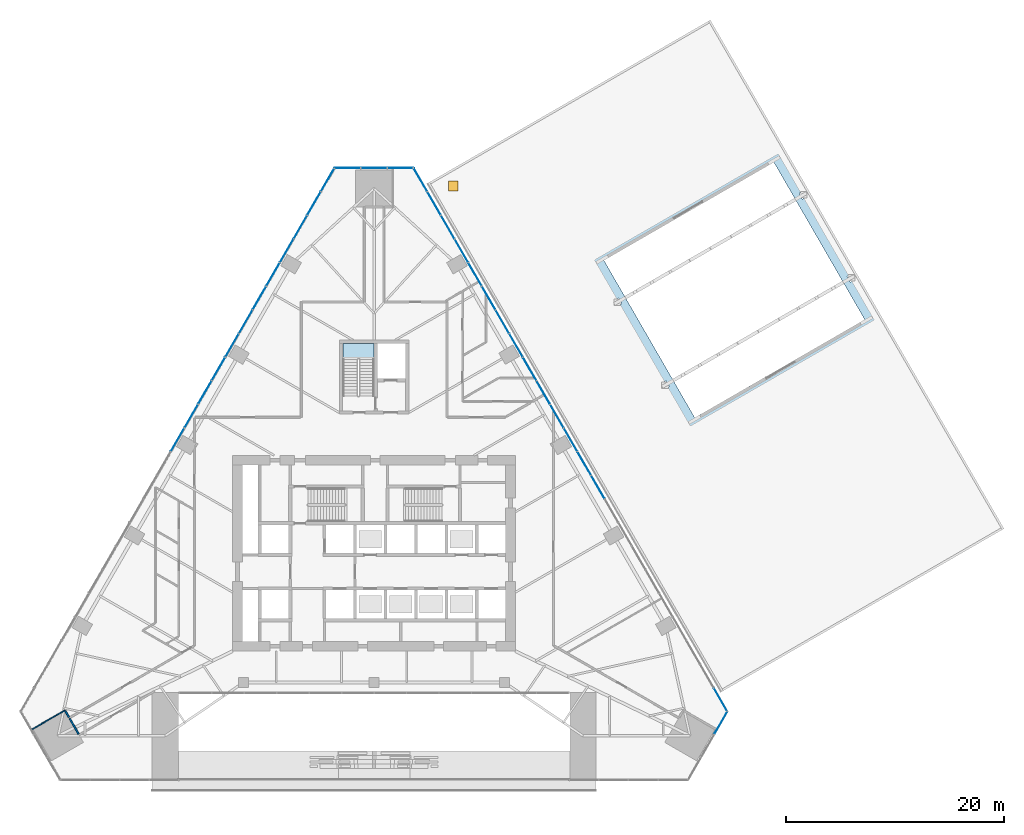
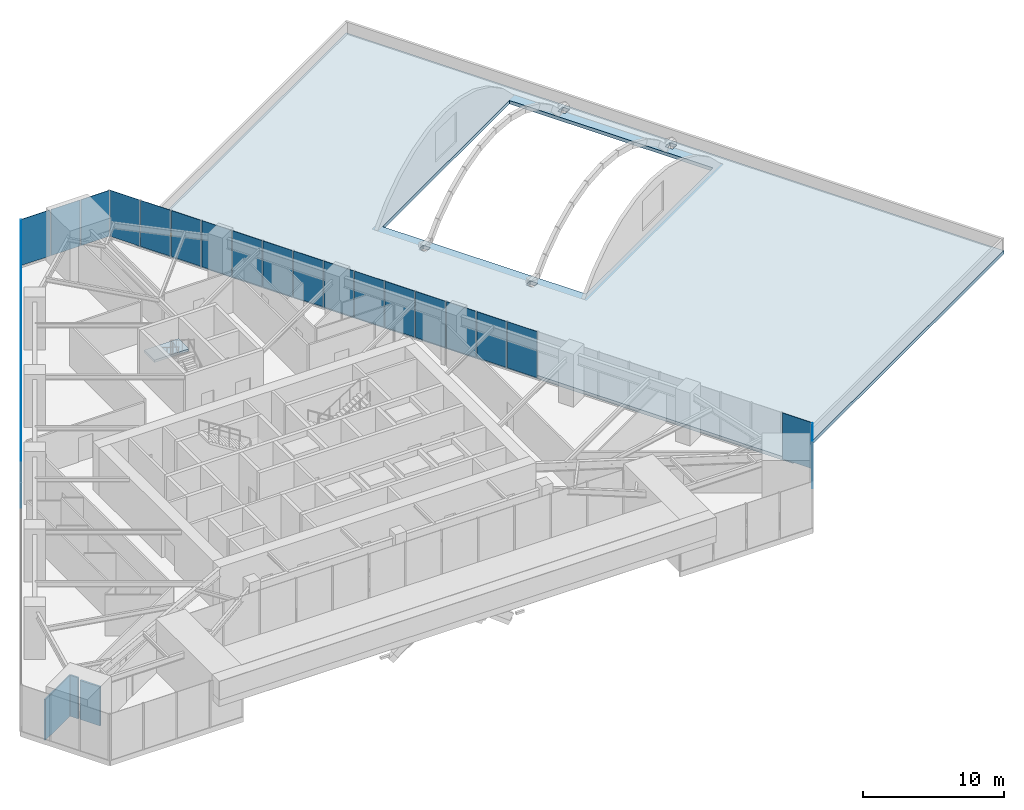
# One storey, part 17 of 23: 31 plates, 3 walls, 2 slabs, 1 door, 1 opening, 5 elements without a shape of their own.
"""IFC4 building model written with IfcOpenShell, lengths in metres."""

from ifc_helpers import new_model, si_unit, direction, frame, frame_2d, origin, origin_2d, place, context, subcontext, project, spatial, polyline, rectangle, outline, extrude, material, layer, layer_set, type_object, element, fill, aggregate, save


model = new_model("IFC4")

# Units and contexts
model_context = context("Model", 3, precision=1e-05, world=origin(), true_north=direction((0.0, 1.0)))
body_context = subcontext(model_context, "Body", "Model", "MODEL_VIEW")
ifc_project = project(units=[si_unit("LENGTHUNIT", "METRE"), si_unit("AREAUNIT", "SQUARE_METRE"), si_unit("VOLUMEUNIT", "CUBIC_METRE"), si_unit("PLANEANGLEUNIT", "RADIAN"), si_unit("MASSUNIT", "GRAM", prefix="KILO")], contexts=[model_context])

# Site, building, storey
site_placement = place(None, origin())
site = spatial("IfcSite", under=ifc_project, at=site_placement, CompositionType="ELEMENT")
building_placement = place(site_placement, origin())
building = spatial("IfcBuilding", under=site, at=building_placement, Name="Firuza Gate Tower and Library", CompositionType="ELEMENT")
storey_placement = place(building_placement, frame((0.0, 0.0, 26.39990234375)))
storey = spatial("IfcBuildingStorey", under=building, at=storey_placement, Name="L05", CompositionType="ELEMENT", Elevation=26.39990234375)

# Curtain wall, plate
ifc_material_1 = material(Name="Aluminium 6063-T6", Category="aluminium")
ifc_layer_1 = layer(ifc_material_1, 0.14990234375)
ifc_layer_set_1 = layer_set([ifc_layer_1], Name="Stick curtain wall, podium")
curtain_wall_type = type_object("IfcCurtainWallType", Name="Stick curtain wall, podium", PredefinedType="NOTDEFINED", material=ifc_layer_set_1)
placement = place(storey_placement, origin())
curtain_wall_1 = element("IfcCurtainWall", 1, at=placement, inside=storey, type_object=curtain_wall_type, Name="CW5 L05 SE", PredefinedType="NOTDEFINED")
ifc_material_2 = material(Name="Fritted glass", Category="glass")
ifc_layer_2 = layer(ifc_material_2, 0.030029296875)
ifc_layer_set_2 = layer_set([ifc_layer_2], Name="Clear glass unit, podium")
plate_type = type_object("IfcPlateType", Name="Clear glass unit, podium", PredefinedType="CURTAIN_PANEL", material=ifc_layer_set_2)
plate_1_placement = place(storey_placement, frame((106.30517578125, 58.37451171875, 0.150146484375), z_axis=(0.866047116916, -0.499962389866, 0.0), x_axis=(0.499962389866, 0.866047116916, 0.0)))
plate_1 = element("IfcPlate", 2, at=plate_1_placement, type_object=plate_type, Name="Glass unit", PredefinedType="CURTAIN_PANEL", context=body_context, shape_type="SweptSolid", body=[
    extrude(outline(polyline([(0.0, 0.0), (2.3488094905771977, 0.0), (2.3488094905771977, 4.0), (0.0, 4.0), (0.0, 0.0)])), origin(), (0.0, 0.0, -1.0), 0.030029296875),
])
aggregate(curtain_wall_1, [plate_1])

# Curtain wall, plates
curtain_wall_2 = element("IfcCurtainWall", 3, at=placement, inside=storey, type_object=curtain_wall_type, Name="CW5 L05 E", PredefinedType="NOTDEFINED")
plate_2_placement = place(storey_placement, frame((107.4794921875, 60.492919921875, 0.150146484375), z_axis=(0.866056658381, 0.499945861543, 0.0), x_axis=(-0.499945861543, 0.866056658381, 0.0)))
plate_2 = element("IfcPlate", 4, at=plate_2_placement, type_object=plate_type, Name="Glass unit", PredefinedType="CURTAIN_PANEL", context=body_context, shape_type="SweptSolid", body=[
    extrude(outline(polyline([(0.0, 0.0), (2.4279972710515545, 0.0), (2.4279972710515545, 4.0), (0.0, 4.0), (0.0, 0.0)])), origin(), (0.0, 0.0, -1.0), 0.030029296875),
])
plate_3_placement = place(storey_placement, frame((96.193115234375, 80.041748046875, 0.150146484375), z_axis=(0.866013120021, 0.500021275498, 0.0), x_axis=(-0.500021275498, 0.866013120021, 0.0)))
plate_3 = element("IfcPlate", 5, at=plate_3_placement, type_object=plate_type, Name="Glass unit", PredefinedType="CURTAIN_PANEL", context=body_context, shape_type="SweptSolid", body=[
    extrude(outline(polyline([(0.0, 0.0), (2.428119337352694, 0.0), (2.428119337352694, 4.0), (0.0, 4.0), (0.0, 0.0)])), origin(), (0.0, 0.0, -1.0), 0.030029296875),
])
plate_4_placement = place(storey_placement, frame((94.93896484375, 82.2138671875, 0.150146484375), z_axis=(0.866013120021, 0.500021275498, 0.0), x_axis=(-0.500021275498, 0.866013120021, 0.0)))
plate_4 = element("IfcPlate", 6, at=plate_4_placement, type_object=plate_type, Name="Glass unit", PredefinedType="CURTAIN_PANEL", context=body_context, shape_type="SweptSolid", body=[
    extrude(outline(polyline([(0.0, 0.0), (2.428119337352694, 0.0), (2.428119337352694, 4.0), (0.0, 4.0), (0.0, 0.0)])), origin(), (0.0, 0.0, -1.0), 0.030029296875),
])
plate_5_placement = place(storey_placement, frame((93.68505859375, 84.385986328125, 0.150146484375), z_axis=(0.866013120021, 0.500021275498, 0.0), x_axis=(-0.500021275498, 0.866013120021, 0.0)))
plate_5 = element("IfcPlate", 7, at=plate_5_placement, type_object=plate_type, Name="Glass unit", PredefinedType="CURTAIN_PANEL", context=body_context, shape_type="SweptSolid", body=[
    extrude(outline(polyline([(0.0, 0.0), (2.428119337352694, 0.0), (2.428119337352694, 4.0), (0.0, 4.0), (0.0, 0.0)])), origin(), (0.0, 0.0, -1.0), 0.030029296875),
])
plate_6_placement = place(storey_placement, frame((92.430908203125, 86.55810546875, 0.150146484375), z_axis=(0.866013120021, 0.500021275498, 0.0), x_axis=(-0.500021275498, 0.866013120021, 0.0)))
plate_6 = element("IfcPlate", 8, at=plate_6_placement, type_object=plate_type, Name="Glass unit", PredefinedType="CURTAIN_PANEL", context=body_context, shape_type="SweptSolid", body=[
    extrude(outline(polyline([(0.0, 0.0), (2.428119337352694, 0.0), (2.428119337352694, 4.0), (0.0, 4.0), (0.0, 0.0)])), origin(), (0.0, 0.0, -1.0), 0.030029296875),
])
plate_7_placement = place(storey_placement, frame((91.1767578125, 88.72998046875, 0.150146484375), z_axis=(0.866081787721, 0.499902327438, 0.0), x_axis=(-0.499902327438, 0.866081787721, 0.0)))
plate_7 = element("IfcPlate", 9, at=plate_7_placement, type_object=plate_type, Name="Glass unit", PredefinedType="CURTAIN_PANEL", context=body_context, shape_type="SweptSolid", body=[
    extrude(outline(polyline([(0.0, 0.0), (2.428208713733097, 0.0), (2.428208713733097, 4.0), (0.0, 4.0), (0.0, 0.0)])), origin(), (0.0, 0.0, -1.0), 0.030029296875),
])
plate_8_placement = place(storey_placement, frame((89.9228515625, 90.902099609375, 0.150146484375), z_axis=(0.866013120021, 0.500021275498, 0.0), x_axis=(-0.500021275498, 0.866013120021, 0.0)))
plate_8 = element("IfcPlate", 10, at=plate_8_placement, type_object=plate_type, Name="Glass unit", PredefinedType="CURTAIN_PANEL", context=body_context, shape_type="SweptSolid", body=[
    extrude(outline(polyline([(0.0, 0.0), (2.428119337352694, 0.0), (2.428119337352694, 4.0), (0.0, 4.0), (0.0, 0.0)])), origin(), (0.0, 0.0, -1.0), 0.030029296875),
])
plate_9_placement = place(storey_placement, frame((88.668701171875, 93.07421875, 0.150146484375), z_axis=(0.866013120021, 0.500021275498, 0.0), x_axis=(-0.500021275498, 0.866013120021, 0.0)))
plate_9 = element("IfcPlate", 11, at=plate_9_placement, type_object=plate_type, Name="Glass unit", PredefinedType="CURTAIN_PANEL", context=body_context, shape_type="SweptSolid", body=[
    extrude(outline(polyline([(0.0, 0.0), (2.428119337352694, 0.0), (2.428119337352694, 4.0), (0.0, 4.0), (0.0, 0.0)])), origin(), (0.0, 0.0, -1.0), 0.030029296875),
])
plate_10_placement = place(storey_placement, frame((87.414794921875, 95.246337890625, 0.150146484375), z_axis=(0.866013120021, 0.500021275498, 0.0), x_axis=(-0.500021275498, 0.866013120021, 0.0)))
plate_10 = element("IfcPlate", 12, at=plate_10_placement, type_object=plate_type, Name="Glass unit", PredefinedType="CURTAIN_PANEL", context=body_context, shape_type="SweptSolid", body=[
    extrude(outline(polyline([(0.0, 0.0), (2.428119337352694, 0.0), (2.428119337352694, 4.0), (0.0, 4.0), (0.0, 0.0)])), origin(), (0.0, 0.0, -1.0), 0.030029296875),
])
plate_11_placement = place(storey_placement, frame((86.16064453125, 97.41845703125, 0.150146484375), z_axis=(0.866013120021, 0.500021275498, 0.0), x_axis=(-0.500021275498, 0.866013120021, 0.0)))
plate_11 = element("IfcPlate", 13, at=plate_11_placement, type_object=plate_type, Name="Glass unit", PredefinedType="CURTAIN_PANEL", context=body_context, shape_type="SweptSolid", body=[
    extrude(outline(polyline([(0.0, 0.0), (2.428119337352694, 0.0), (2.428119337352694, 4.0), (0.0, 4.0), (0.0, 0.0)])), origin(), (0.0, 0.0, -1.0), 0.030029296875),
])
plate_12_placement = place(storey_placement, frame((84.906494140625, 99.590576171875, 0.150146484375), z_axis=(0.866056658381, 0.499945861543, 0.0), x_axis=(-0.499945861543, 0.866056658381, 0.0)))
plate_12 = element("IfcPlate", 14, at=plate_12_placement, type_object=plate_type, Name="Glass unit", PredefinedType="CURTAIN_PANEL", context=body_context, shape_type="SweptSolid", body=[
    extrude(outline(polyline([(0.0, 0.0), (2.4279972710515545, 0.0), (2.4279972710515545, 4.0), (0.0, 4.0), (0.0, 0.0)])), origin(), (0.0, 0.0, -1.0), 0.030029296875),
])
plate_13_placement = place(storey_placement, frame((83.652587890625, 101.7626953125, 0.150146484375), z_axis=(0.866013120021, 0.500021275498, 0.0), x_axis=(-0.500021275498, 0.866013120021, 0.0)))
plate_13 = element("IfcPlate", 15, at=plate_13_placement, type_object=plate_type, Name="Glass unit", PredefinedType="CURTAIN_PANEL", context=body_context, shape_type="SweptSolid", body=[
    extrude(outline(polyline([(0.0, 0.0), (2.428119337352694, 0.0), (2.428119337352694, 4.0), (0.0, 4.0), (0.0, 0.0)])), origin(), (0.0, 0.0, -1.0), 0.030029296875),
])
plate_14_placement = place(storey_placement, frame((82.3984375, 103.934814453125, 0.150146484375), z_axis=(0.866013120021, 0.500021275498, 0.0), x_axis=(-0.500021275498, 0.866013120021, 0.0)))
plate_14 = element("IfcPlate", 16, at=plate_14_placement, type_object=plate_type, Name="Glass unit", PredefinedType="CURTAIN_PANEL", context=body_context, shape_type="SweptSolid", body=[
    extrude(outline(polyline([(0.0, 0.0), (2.428119337352694, 0.0), (2.428119337352694, 4.0), (0.0, 4.0), (0.0, 0.0)])), origin(), (0.0, 0.0, -1.0), 0.030029296875),
])
plate_15_placement = place(storey_placement, frame((81.144287109375, 106.106689453125, 0.150146484375), z_axis=(0.866081787721, 0.499902327438, 0.0), x_axis=(-0.499902327438, 0.866081787721, 0.0)))
plate_15 = element("IfcPlate", 17, at=plate_15_placement, type_object=plate_type, Name="Glass unit", PredefinedType="CURTAIN_PANEL", context=body_context, shape_type="SweptSolid", body=[
    extrude(outline(polyline([(0.0, 0.0), (2.428208713733097, 0.0), (2.428208713733097, 4.0), (0.0, 4.0), (0.0, 0.0)])), origin(), (0.0, 0.0, -1.0), 0.030029296875),
])
plate_16_placement = place(storey_placement, frame((79.890380859375, 108.27880859375, 0.150146484375), z_axis=(0.866013120021, 0.500021275498, 0.0), x_axis=(-0.500021275498, 0.866013120021, 0.0)))
plate_16 = element("IfcPlate", 18, at=plate_16_placement, type_object=plate_type, Name="Glass unit", PredefinedType="CURTAIN_PANEL", context=body_context, shape_type="SweptSolid", body=[
    extrude(outline(polyline([(0.0, 0.0), (2.428119337352694, 0.0), (2.428119337352694, 4.0), (0.0, 4.0), (0.0, 0.0)])), origin(), (0.0, 0.0, -1.0), 0.030029296875),
])
aggregate(curtain_wall_2, [plate_2, plate_3, plate_4, plate_5, plate_6, plate_7, plate_8, plate_9, plate_10, plate_11, plate_12, plate_13, plate_14, plate_15, plate_16])

curtain_wall_3 = element("IfcCurtainWall", 19, at=placement, inside=storey, type_object=curtain_wall_type, Name="CW5 L05 N", PredefinedType="NOTDEFINED")
plate_17_placement = place(storey_placement, frame((78.603271484375, 110.423828125, 0.150146484375), z_axis=(0.0, 1.0, 0.0), x_axis=(-1.0, 0.0, 0.0)))
plate_17 = element("IfcPlate", 20, at=plate_17_placement, type_object=plate_type, Name="Glass unit", PredefinedType="CURTAIN_PANEL", context=body_context, shape_type="SweptSolid", body=[
    extrude(outline(polyline([(0.0, 0.0), (2.348876953125, 0.0), (2.348876953125, 4.0), (0.0, 4.0), (0.0, 0.0)])), origin(), (0.0, 0.0, -1.0), 0.030029296875),
])
plate_18_placement = place(storey_placement, frame((76.17431640625, 110.423828125, 0.150146484375), z_axis=(0.0, 1.0, 0.0), x_axis=(-1.0, 0.0, 0.0)))
plate_18 = element("IfcPlate", 21, at=plate_18_placement, type_object=plate_type, Name="Glass unit", PredefinedType="CURTAIN_PANEL", context=body_context, shape_type="SweptSolid", body=[
    extrude(outline(polyline([(0.0, 0.0), (2.3486328125, 0.0), (2.3486328125, 4.0), (0.0, 4.0), (0.0, 0.0)])), origin(), (0.0, 0.0, -1.0), 0.030029296875),
])
plate_19_placement = place(storey_placement, frame((73.74560546875, 110.423828125, 0.150146484375), z_axis=(0.0, 1.0, 0.0), x_axis=(-1.0, 0.0, 0.0)))
plate_19 = element("IfcPlate", 22, at=plate_19_placement, type_object=plate_type, Name="Glass unit", PredefinedType="CURTAIN_PANEL", context=body_context, shape_type="SweptSolid", body=[
    extrude(outline(polyline([(0.0, 0.0), (2.348876953125, 0.0), (2.348876953125, 4.0), (0.0, 4.0), (0.0, 0.0)])), origin(), (0.0, 0.0, -1.0), 0.030029296875),
])
aggregate(curtain_wall_3, [plate_17, plate_18, plate_19])

curtain_wall_4 = element("IfcCurtainWall", 23, at=placement, inside=storey, type_object=curtain_wall_type, Name="CW5 L05 W", PredefinedType="NOTDEFINED")
plate_20_placement = place(storey_placement, frame((71.32373046875, 110.381591796875, 0.150146484375), z_axis=(-0.866013120021, 0.500021275498, 0.0), x_axis=(-0.500021275498, -0.866013120021, 0.0)))
plate_20 = element("IfcPlate", 24, at=plate_20_placement, type_object=plate_type, Name="Glass unit", PredefinedType="CURTAIN_PANEL", context=body_context, shape_type="SweptSolid", body=[
    extrude(outline(polyline([(0.0, 0.0), (2.428119337352694, 0.0), (2.428119337352694, 4.0), (0.0, 4.0), (0.0, 0.0)])), origin(), (0.0, 0.0, -1.0), 0.030029296875),
])
plate_21_placement = place(storey_placement, frame((70.069580078125, 108.209716796875, 0.150146484375), z_axis=(-0.866081787721, 0.499902327438, 0.0), x_axis=(-0.499902327438, -0.866081787721, 0.0)))
plate_21 = element("IfcPlate", 25, at=plate_21_placement, type_object=plate_type, Name="Glass unit", PredefinedType="CURTAIN_PANEL", context=body_context, shape_type="SweptSolid", body=[
    extrude(outline(polyline([(0.0, 0.0), (2.428208713733097, 0.0), (2.428208713733097, 4.0), (0.0, 4.0), (0.0, 0.0)])), origin(), (0.0, 0.0, -1.0), 0.030029296875),
])
plate_22_placement = place(storey_placement, frame((68.815673828125, 106.03759765625, 0.150146484375), z_axis=(-0.866013120021, 0.500021275498, 0.0), x_axis=(-0.500021275498, -0.866013120021, 0.0)))
plate_22 = element("IfcPlate", 26, at=plate_22_placement, type_object=plate_type, Name="Glass unit", PredefinedType="CURTAIN_PANEL", context=body_context, shape_type="SweptSolid", body=[
    extrude(outline(polyline([(0.0, 0.0), (2.428119337352694, 0.0), (2.428119337352694, 4.0), (0.0, 4.0), (0.0, 0.0)])), origin(), (0.0, 0.0, -1.0), 0.030029296875),
])
plate_23_placement = place(storey_placement, frame((67.5615234375, 103.865478515625, 0.150146484375), z_axis=(-0.866013120021, 0.500021275498, 0.0), x_axis=(-0.500021275498, -0.866013120021, 0.0)))
plate_23 = element("IfcPlate", 27, at=plate_23_placement, type_object=plate_type, Name="Glass unit", PredefinedType="CURTAIN_PANEL", context=body_context, shape_type="SweptSolid", body=[
    extrude(outline(polyline([(0.0, 0.0), (2.428119337352694, 0.0), (2.428119337352694, 4.0), (0.0, 4.0), (0.0, 0.0)])), origin(), (0.0, 0.0, -1.0), 0.030029296875),
])
plate_24_placement = place(storey_placement, frame((66.307373046875, 101.693359375, 0.150146484375), z_axis=(-0.866056658381, 0.499945861543, 0.0), x_axis=(-0.499945861543, -0.866056658381, 0.0)))
plate_24 = element("IfcPlate", 28, at=plate_24_placement, type_object=plate_type, Name="Glass unit", PredefinedType="CURTAIN_PANEL", context=body_context, shape_type="SweptSolid", body=[
    extrude(outline(polyline([(0.0, 0.0), (2.4279972710515545, 0.0), (2.4279972710515545, 4.0), (0.0, 4.0), (0.0, 0.0)])), origin(), (0.0, 0.0, -1.0), 0.030029296875),
])
plate_25_placement = place(storey_placement, frame((65.053466796875, 99.521240234375, 0.150146484375), z_axis=(-0.866013120021, 0.500021275498, 0.0), x_axis=(-0.500021275498, -0.866013120021, 0.0)))
plate_25 = element("IfcPlate", 29, at=plate_25_placement, type_object=plate_type, Name="Glass unit", PredefinedType="CURTAIN_PANEL", context=body_context, shape_type="SweptSolid", body=[
    extrude(outline(polyline([(0.0, 0.0), (2.428119337352694, 0.0), (2.428119337352694, 4.0), (0.0, 4.0), (0.0, 0.0)])), origin(), (0.0, 0.0, -1.0), 0.030029296875),
])
plate_26_placement = place(storey_placement, frame((63.79931640625, 97.34912109375, 0.150146484375), z_axis=(-0.866013120021, 0.500021275498, 0.0), x_axis=(-0.500021275498, -0.866013120021, 0.0)))
plate_26 = element("IfcPlate", 30, at=plate_26_placement, type_object=plate_type, Name="Glass unit", PredefinedType="CURTAIN_PANEL", context=body_context, shape_type="SweptSolid", body=[
    extrude(outline(polyline([(0.0, 0.0), (2.428119337352694, 0.0), (2.428119337352694, 4.0), (0.0, 4.0), (0.0, 0.0)])), origin(), (0.0, 0.0, -1.0), 0.030029296875),
])
plate_27_placement = place(storey_placement, frame((62.54541015625, 95.177001953125, 0.150146484375), z_axis=(-0.866013120021, 0.500021275498, 0.0), x_axis=(-0.500021275498, -0.866013120021, 0.0)))
plate_27 = element("IfcPlate", 31, at=plate_27_placement, type_object=plate_type, Name="Glass unit", PredefinedType="CURTAIN_PANEL", context=body_context, shape_type="SweptSolid", body=[
    extrude(outline(polyline([(0.0, 0.0), (2.428119337352694, 0.0), (2.428119337352694, 4.0), (0.0, 4.0), (0.0, 0.0)])), origin(), (0.0, 0.0, -1.0), 0.030029296875),
])
plate_28_placement = place(storey_placement, frame((61.291259765625, 93.0048828125, 0.150146484375), z_axis=(-0.866013120021, 0.500021275498, 0.0), x_axis=(-0.500021275498, -0.866013120021, 0.0)))
plate_28 = element("IfcPlate", 32, at=plate_28_placement, type_object=plate_type, Name="Glass unit", PredefinedType="CURTAIN_PANEL", context=body_context, shape_type="SweptSolid", body=[
    extrude(outline(polyline([(0.0, 0.0), (2.428119337352694, 0.0), (2.428119337352694, 4.0), (0.0, 4.0), (0.0, 0.0)])), origin(), (0.0, 0.0, -1.0), 0.030029296875),
])
plate_29_placement = place(storey_placement, frame((60.037109375, 90.8330078125, 0.150146484375), z_axis=(-0.866081787721, 0.499902327438, 0.0), x_axis=(-0.499902327438, -0.866081787721, 0.0)))
plate_29 = element("IfcPlate", 33, at=plate_29_placement, type_object=plate_type, Name="Glass unit", PredefinedType="CURTAIN_PANEL", context=body_context, shape_type="SweptSolid", body=[
    extrude(outline(polyline([(0.0, 0.0), (2.428208713733097, 0.0), (2.428208713733097, 4.0), (0.0, 4.0), (0.0, 0.0)])), origin(), (0.0, 0.0, -1.0), 0.030029296875),
])
plate_30_placement = place(storey_placement, frame((58.783203125, 88.660888671875, 0.150146484375), z_axis=(-0.866013120021, 0.500021275498, 0.0), x_axis=(-0.500021275498, -0.866013120021, 0.0)))
plate_30 = element("IfcPlate", 34, at=plate_30_placement, type_object=plate_type, Name="Glass unit", PredefinedType="CURTAIN_PANEL", context=body_context, shape_type="SweptSolid", body=[
    extrude(outline(polyline([(0.0, 0.0), (2.428119337352694, 0.0), (2.428119337352694, 4.0), (0.0, 4.0), (0.0, 0.0)])), origin(), (0.0, 0.0, -1.0), 0.030029296875),
])
plate_31_placement = place(storey_placement, frame((57.529052734375, 86.48876953125, 0.150146484375), z_axis=(-0.866013120021, 0.500021275498, 0.0), x_axis=(-0.500021275498, -0.866013120021, 0.0)))
plate_31 = element("IfcPlate", 35, at=plate_31_placement, type_object=plate_type, Name="Glass unit", PredefinedType="CURTAIN_PANEL", context=body_context, shape_type="SweptSolid", body=[
    extrude(outline(polyline([(0.0, 0.0), (2.428119337352694, 0.0), (2.428119337352694, 4.0), (0.0, 4.0), (0.0, 0.0)])), origin(), (0.0, 0.0, -1.0), 0.030029296875),
])
aggregate(curtain_wall_4, [plate_20, plate_21, plate_22, plate_23, plate_24, plate_25, plate_26, plate_27, plate_28, plate_29, plate_30, plate_31])

# Slab, opening, door
ifc_material_3 = material(Name="Concrete C40/50", Category="concrete")
ifc_layer_3 = layer(ifc_material_3, 0.300048828125)
ifc_layer_set_3 = layer_set([ifc_layer_3], Name="LIB ROOF SLAB 300")
slab_type_1 = type_object("IfcSlabType", Name="LIB ROOF SLAB 300", PredefinedType="ROOF", material=ifc_layer_set_3)
slab_1_placement = place(storey_placement, frame((0.0, 0.0, -0.2998046875)))
slab_1 = element("IfcSlab", 36, at=slab_1_placement, inside=storey, type_object=slab_type_1, Name="Library roof slab", PredefinedType="ROOF", context=body_context, shape_type="SweptSolid", body=[
    extrude(outline(polyline([(106.93310546875, 62.259521484375), (132.913818359375, 77.259521484375), (105.913818359375, 124.02490234375), (79.93310546875, 109.02490234375), (106.93310546875, 62.259521484375)]), holes=[polyline([(102.15673828125, 90.33251953125), (101.856689453125, 90.85205078125), (101.3369140625, 90.552001953125), (101.636962890625, 90.032470703125), (102.15673828125, 90.33251953125)]), polyline([(97.756591796875, 97.95361328125), (97.456787109375, 98.47314453125), (96.93701171875, 98.173095703125), (97.237060546875, 97.653564453125), (97.756591796875, 97.95361328125)]), polyline([(120.108642578125, 96.482421875), (111.7587890625, 110.945068359375), (96.13232421875, 101.923095703125), (104.482421875, 87.460693359375), (120.108642578125, 96.482421875)]), polyline([(119.00390625, 100.752197265625), (118.484375, 100.4521484375), (118.784423828125, 99.9326171875), (119.303955078125, 100.232421875), (119.00390625, 100.752197265625)]), polyline([(114.60400390625, 108.373046875), (114.08447265625, 108.072998046875), (114.384521484375, 107.553466796875), (114.904052734375, 107.853515625), (114.60400390625, 108.373046875)])]), origin(), (0.0, 0.0, 1.0), 0.2998046875),
])
opening_placement = place(slab_1_placement, frame((82.278564453125, 108.7626953125, 0.0)))
opening = element("IfcOpeningElement", 37, at=opening_placement, cuts=slab_1, Name="Opening LIB-D8", PredefinedType="OPENING", context=body_context, shape_type="SweptSolid", body=[
    extrude(rectangle(XDim=0.89990234375, YDim=0.89990234375, at=origin_2d()), origin(), (0.0, 0.0, 1.0), 0.2998046875),
])
ifc_material_4 = material(Name="Steel S235 door leaf", Category="steel")
door_type = type_object("IfcDoorType", Name="LIB ROOF HATCH 900", OperationType="NOTDEFINED", PredefinedType="TRAPDOOR", material=ifc_material_4)
door_placement = place(opening_placement, frame((0.0, 0.0, 0.249755859375)))
door = element("IfcDoor", 38, at=door_placement, inside=storey, type_object=door_type, Name="Roof access hatch", OperationType="SINGLE_SWING_LEFT", OverallHeight=0.89990234375, OverallWidth=0.89990234375, PredefinedType="TRAPDOOR", context=body_context, shape_type="SweptSolid", body=[
    extrude(rectangle(XDim=0.89990234375, YDim=0.89990234375, at=origin_2d()), origin(), (0.0, 0.0, 1.0), 0.050048828125),
])
fill(opening, door)

# Stair, slab
ifc_material_5 = material(Name="Concrete C35/45", Category="concrete")
stair_type = type_object("IfcStairType", Name="Exit stair ST13", PredefinedType="HALF_TURN_STAIR", material=ifc_material_5)
stair = element("IfcStair", 39, at=placement, inside=storey, type_object=stair_type, Name="L05 Stair ST3", PredefinedType="HALF_TURN_STAIR")
ifc_material_6 = material(Name="Concrete C35/45", Category="concrete")
ifc_layer_4 = layer(ifc_material_6, 0.199951171875)
ifc_layer_set_4 = layer_set([ifc_layer_4], Name="Stair landing 200")
slab_type_2 = type_object("IfcSlabType", Name="Stair landing 200", PredefinedType="LANDING", material=ifc_layer_set_4)
slab_2_placement = place(storey_placement, frame((0.0, 0.0, 2.10009765625)))
slab_2 = element("IfcSlab", 40, at=slab_2_placement, type_object=slab_type_2, Name="ST3 landing 1", PredefinedType="LANDING", context=body_context, shape_type="SweptSolid", body=[
    extrude(outline(polyline([(75.0, 92.830078125), (75.0, 94.300048828125), (72.159912109375, 94.300048828125), (72.159912109375, 92.830078125), (75.0, 92.830078125)])), origin(), (0.0, 0.0, 1.0), 0.199951171875),
])
aggregate(stair, [slab_2])

# Walls
ifc_material_7 = material(Name="Gypsum board partition")
ifc_layer_5 = layer(ifc_material_7, 0.14990234375)
ifc_layer_set_5 = layer_set([ifc_layer_5], Name="Corridor wall 150 double board on steel studs")
wall_type_1 = type_object("IfcWallType", Name="Corridor wall 150 double board on steel studs", PredefinedType="PARTITIONING", material=ifc_layer_set_5)
wall_1_placement = place(storey_placement, frame((47.84326171875, 58.368896484375, 0.0), z_axis=(0.0, 0.0, 1.0), x_axis=(-0.499927431592, 0.866067297121, 0.0)))
element("IfcWall", 41, at=wall_1_placement, inside=storey, type_object=wall_type_1, Name="f:L05:w033", PredefinedType="PARTITIONING", context=body_context, shape_type="SweptSolid", body=[
    extrude(rectangle(XDim=1.649658203125, YDim=0.14990234375, at=frame_2d((0.82470703125, 0.0))), origin(), (0.0, 0.0, 1.0), 3.397216796875),
])
wall_2_placement = place(storey_placement, frame((46.943603515625, 59.927490234375, 0.0), z_axis=(0.0, 0.0, 1.0), x_axis=(-0.500265536072, 0.865872042174, 0.0)))
element("IfcWall", 42, at=wall_2_placement, inside=storey, type_object=wall_type_1, Name="f:L05:w042", PredefinedType="PARTITIONING", context=body_context, shape_type="SweptSolid", body=[
    extrude(rectangle(XDim=0.674560546875, YDim=0.14990234375, at=frame_2d((0.33740234375, 0.0))), origin(), (0.0, 0.0, 1.0), 3.550048828125),
])
ifc_material_8 = material(Name="Gypsum board partition")
ifc_layer_6 = layer(ifc_material_8, 0.10009765625)
ifc_layer_set_6 = layer_set([ifc_layer_6], Name="Partition 100 gypsum board on steel studs")
wall_type_2 = type_object("IfcWallType", Name="Partition 100 gypsum board on steel studs", PredefinedType="PARTITIONING", material=ifc_layer_set_6)
wall_3_placement = place(storey_placement, frame((43.498046875, 58.775390625, 0.0), z_axis=(0.0, 0.0, 1.0), x_axis=(0.866014251095, 0.500019316528, 0.0)))
element("IfcWall", 43, at=wall_3_placement, inside=storey, type_object=wall_type_2, Name="f:L05:w010", PredefinedType="PARTITIONING", context=body_context, shape_type="SweptSolid", body=[
    extrude(rectangle(XDim=3.559326171875, YDim=0.10009765625, at=frame_2d((1.77978515625, 0.0))), origin(), (0.0, 0.0, 1.0), 3.550048828125),
])

save(model, "model.ifc")
